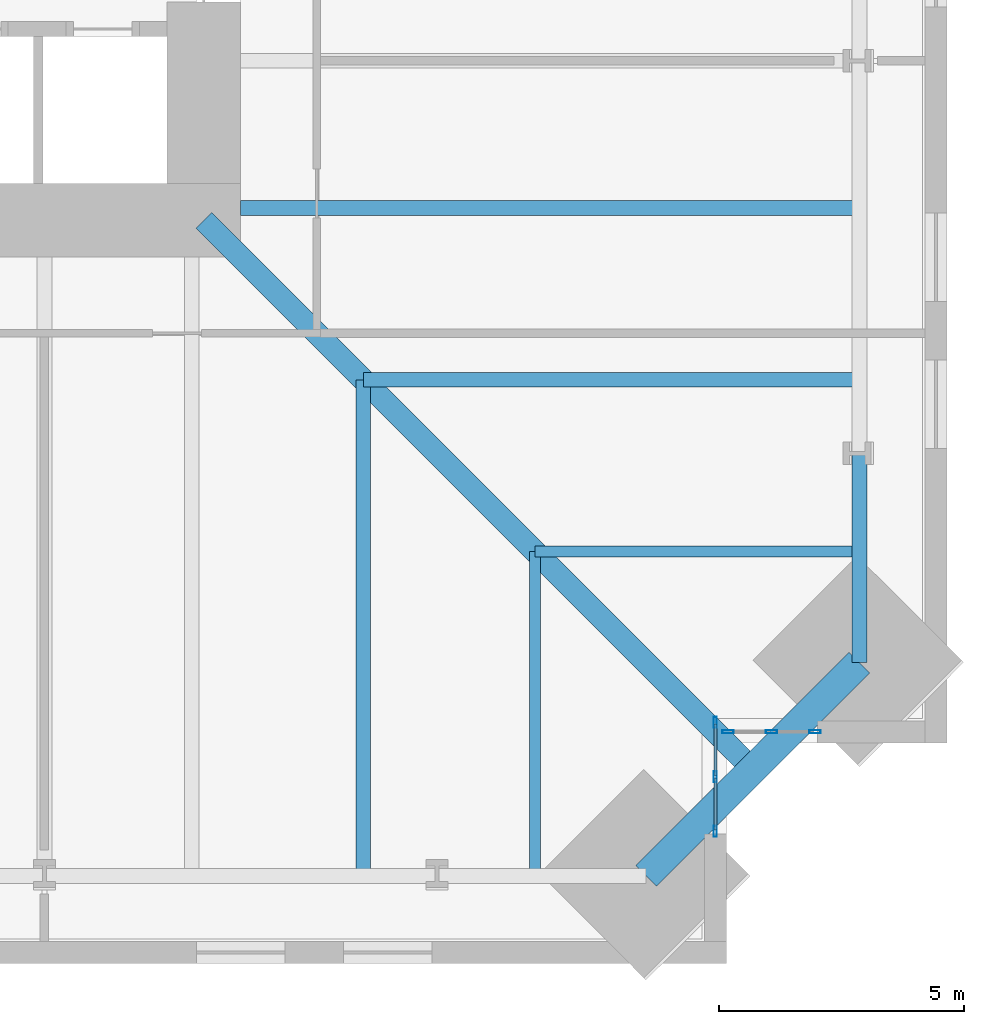
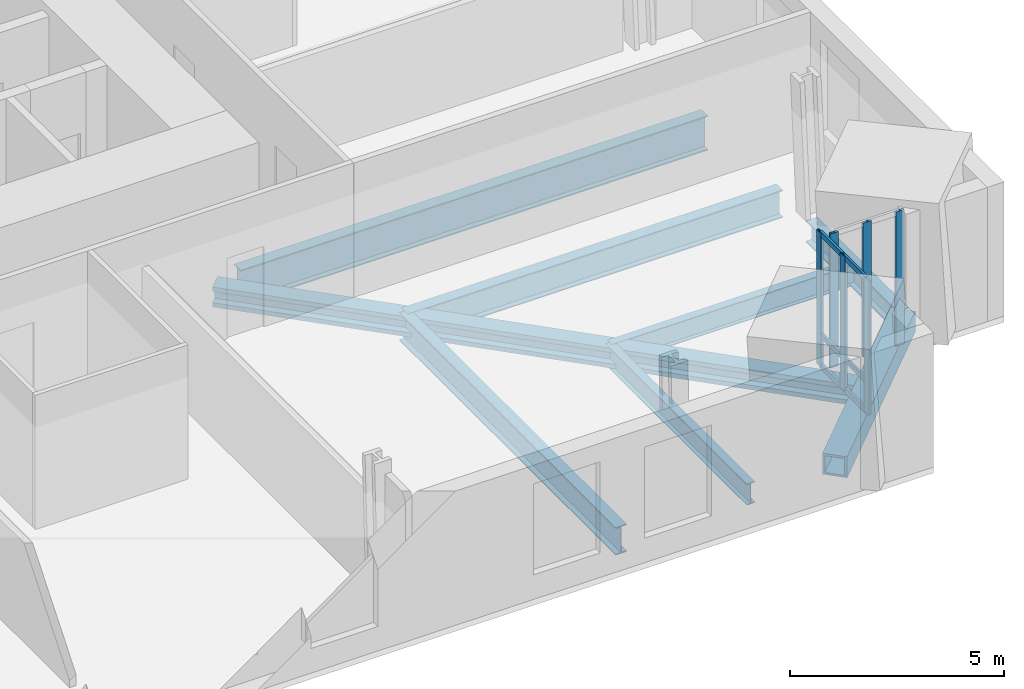
# One storey, part 4 of 18: 12 members, 8 beams, 2 elements without a shape of their own.
"""IFC4 building model written with IfcOpenShell, lengths in metres."""

from ifc_helpers import new_model, si_unit, direction, frame, origin, origin_2d, place, context, subcontext, project, spatial, hollow_rectangle, i_section, extrude, material, material_profile, profile_set, type_object, element, aggregate, save


model = new_model("IFC4")

# Units and contexts
model_context = context("Model", 3, precision=1e-05, world=origin(), true_north=direction((0.0, 1.0)))
body_context = subcontext(model_context, "Body", "Model", "MODEL_VIEW")
ifc_project = project(units=[si_unit("LENGTHUNIT", "METRE"), si_unit("AREAUNIT", "SQUARE_METRE"), si_unit("VOLUMEUNIT", "CUBIC_METRE"), si_unit("PLANEANGLEUNIT", "RADIAN"), si_unit("MASSUNIT", "GRAM", prefix="KILO")], contexts=[model_context])

# Site, building, storey
site_placement = place(None, origin())
site = spatial("IfcSite", under=ifc_project, at=site_placement, CompositionType="ELEMENT")
building_placement = place(site_placement, origin())
building = spatial("IfcBuilding", under=site, at=building_placement, Name="Peilmerk Tower", CompositionType="ELEMENT")
storey_placement = place(building_placement, frame((0.0, 0.0, 155.800048828125)))
storey = spatial("IfcBuildingStorey", under=building, at=storey_placement, Name="L32", CompositionType="ELEMENT", Elevation=155.800048828125)

# Beams
ifc_material_1 = material(Name="Steel S355", Category="steel")
ifc_material_profile_1 = material_profile(ifc_material_1, i_section(OverallWidth=0.219970703125, OverallDepth=0.60009765625, WebThickness=0.011962890625, FlangeThickness=0.01904296875, at=origin_2d()), Name="IPE 600")
ifc_profile_set_1 = profile_set([ifc_material_profile_1], Name="Steel S355")
beam_type_1 = type_object("IfcBeamType", Name="B10 IPE 600 floor beam", PredefinedType="BEAM", material=ifc_profile_set_1)
for number, where, z_axis, x_axis, name in (
    (1, (18.0, -18.0, -0.469970703125), (0.0, -1.0, 0.0), (1.0, 0.0, 0.0), "Floor beam L32"),
    (2, (18.0, -18.0, -0.469970703125), (1.0, 0.0, 0.0), (0.0, 1.0, 0.0), "Floor beam L32"),
):
    element("IfcBeam", number, at=place(storey_placement, frame(where, z_axis=z_axis, x_axis=x_axis)), inside=storey, type_object=beam_type_1, Name=name, PredefinedType="BEAM", context=body_context, shape_type="SweptSolid", body=[
        extrude(i_section(OverallWidth=0.219970703125, OverallDepth=0.60009765625, WebThickness=0.011962890625, FlangeThickness=0.01904296875, at=origin_2d()), origin(), (0.0, 0.0, 1.0), 6.614501953125),
    ])
ifc_material_profile_2 = material_profile(ifc_material_1, i_section(OverallWidth=0.300048828125, OverallDepth=0.989990234375, WebThickness=0.0166015625, FlangeThickness=0.031005859375, at=origin_2d()), Name="HEA 1000")
ifc_profile_set_2 = profile_set([ifc_material_profile_2], Name="Steel S355")
beam_type_2 = type_object("IfcBeamType", Name="B14 HEA 1000 floor girder", PredefinedType="BEAM", material=ifc_profile_set_2)
beam_1_placement = place(storey_placement, frame((12.0, -11.0, -0.6650390625), z_axis=(1.0, 0.0, 0.0), x_axis=(0.0, 1.0, 0.0)))
element("IfcBeam", 3, at=beam_1_placement, inside=storey, type_object=beam_type_2, Name="Floor beam L32", PredefinedType="BEAM", context=body_context, shape_type="SweptSolid", body=[
    extrude(i_section(OverallWidth=0.300048828125, OverallDepth=0.989990234375, WebThickness=0.0166015625, FlangeThickness=0.031005859375, at=origin_2d()), origin(), (0.0, 0.0, 1.0), 12.614501953125),
])
ifc_material_2 = material(Name="Steel S460", Category="steel")
ifc_material_profile_3 = material_profile(ifc_material_2, hollow_rectangle(XDim=0.60009765625, YDim=0.60009765625, WallThickness=0.06005859375, at=origin_2d()), Name="BOX 600x600x60")
ifc_profile_set_3 = profile_set([ifc_material_profile_3], Name="Steel S460")
beam_type_3 = type_object("IfcBeamType", Name="B20 BOX 600x600x60 notch beam", PredefinedType="SPANDREL", material=ifc_profile_set_3)
beam_2_placement = place(storey_placement, frame((24.614501953125, -20.264404296875, -0.469970703125), z_axis=(-0.707106781187, -0.707106781187, 0.0), x_axis=(0.707106781187, -0.707106781187, 0.0)))
element("IfcBeam", 4, at=beam_2_placement, inside=storey, type_object=beam_type_3, Name="Notch beam L32", PredefinedType="SPANDREL", context=body_context, shape_type="SweptSolid", body=[
    extrude(hollow_rectangle(XDim=0.60009765625, YDim=0.60009765625, WallThickness=0.06005859375, at=origin_2d()), origin(), (0.0, 0.0, 1.0), 6.15185546875),
])
ifc_material_profile_4 = material_profile(ifc_material_1, i_section(OverallWidth=0.300048828125, OverallDepth=0.7900390625, WebThickness=0.014892578125, FlangeThickness=0.028076171875, at=origin_2d()), Name="HEA 800")
ifc_profile_set_4 = profile_set([ifc_material_profile_4], Name="Steel S355")
beam_type_4 = type_object("IfcBeamType", Name="B3 HEA 800 floor beam", PredefinedType="BEAM", material=ifc_profile_set_4)
for number, where, z_axis, x_axis, name in (
    (5, (14.5, -14.5, -0.56494140625), (0.0, -1.0, 0.0), (1.0, 0.0, 0.0), "Floor beam L32"),
    (6, (14.5, -14.5, -0.56494140625), (1.0, 0.0, 0.0), (0.0, 1.0, 0.0), "Floor beam L32"),
):
    element("IfcBeam", number, at=place(storey_placement, frame(where, z_axis=z_axis, x_axis=x_axis)), inside=storey, type_object=beam_type_4, Name=name, PredefinedType="BEAM", context=body_context, shape_type="SweptSolid", body=[
        extrude(i_section(OverallWidth=0.300048828125, OverallDepth=0.7900390625, WebThickness=0.014892578125, FlangeThickness=0.028076171875, at=origin_2d()), origin(), (0.0, 0.0, 1.0), 10.114501953125),
    ])
ifc_material_profile_5 = material_profile(ifc_material_1, i_section(OverallWidth=0.304931640625, OverallDepth=0.6201171875, WebThickness=0.02099609375, FlangeThickness=0.0400390625, at=origin_2d()), Name="HEM 600")
ifc_profile_set_5 = profile_set([ifc_material_profile_5], Name="Steel S355")
beam_type_5 = type_object("IfcBeamType", Name="B31 HEM 600 edge beam", PredefinedType="SPANDREL", material=ifc_profile_set_5)
beam_3_placement = place(storey_placement, frame((24.614501953125, -20.264404296875, -0.47998046875), z_axis=(0.0, 1.0, 0.0), x_axis=(-1.0, 0.0, 0.0)))
element("IfcBeam", 7, at=beam_3_placement, inside=storey, type_object=beam_type_5, Name="Edge beam L32", PredefinedType="SPANDREL", context=body_context, shape_type="SweptSolid", body=[
    extrude(i_section(OverallWidth=0.304931640625, OverallDepth=0.6201171875, WebThickness=0.02099609375, FlangeThickness=0.0400390625, at=origin_2d()), origin(), (0.0, 0.0, 1.0), 4.264404296875),
])
ifc_material_profile_6 = material_profile(ifc_material_2, i_section(OverallWidth=0.4541015625, OverallDepth=0.569091796875, WebThickness=0.077880859375, FlangeThickness=0.125, at=origin_2d()), Name="HD 400x1086")
ifc_profile_set_6 = profile_set([ifc_material_profile_6], Name="Steel S460")
beam_type_6 = type_object("IfcBeamType", Name="B9 HD 400x1086 corner girder", PredefinedType="BEAM", material=ifc_profile_set_6)
beam_4_placement = place(storey_placement, frame((11.25, -11.25, -0.45458984375), z_axis=(0.707106781187, -0.707106781187, 0.0), x_axis=(0.707106781187, 0.707106781187, 0.0)))
element("IfcBeam", 8, at=beam_4_placement, inside=storey, type_object=beam_type_6, Name="Corner girder L32", PredefinedType="BEAM", context=body_context, shape_type="SweptSolid", body=[
    extrude(i_section(OverallWidth=0.4541015625, OverallDepth=0.569091796875, WebThickness=0.077880859375, FlangeThickness=0.125, at=origin_2d()), origin(), (0.0, 0.0, 1.0), 15.82421875),
])

# Curtain wall, members
ifc_material_3 = material(Name="Aluminium stick curtain wall", Category="aluminium")
curtain_wall_type = type_object("IfcCurtainWallType", Name="CW3 stick curtain wall, 2250 module", PredefinedType="NOTDEFINED", material=ifc_material_3)
curtain_wall_1_placement = place(storey_placement, origin())
curtain_wall_1 = element("IfcCurtainWall", 9, at=curtain_wall_1_placement, inside=storey, type_object=curtain_wall_type, Name="Curtain wall CW3 SEA L32", PredefinedType="NOTDEFINED")
ifc_material_4 = material(Name="Aluminium EN AW-6063 T6", Category="aluminium")
ifc_material_profile_7 = material_profile(ifc_material_4, hollow_rectangle(XDim=0.06494140625, YDim=0.22509765625, WallThickness=0.00390625, at=origin_2d()), Name="AL 225x65x4")
ifc_profile_set_7 = profile_set([ifc_material_profile_7], Name="Aluminium EN AW-6063 T6")
member_type_1 = type_object("IfcMemberType", Name="CW3-M AL 225x65x4 mullion", PredefinedType="MULLION", material=ifc_profile_set_7)
member_1_placement = place(storey_placement, frame((21.675048828125, -21.482421875, 0.0), z_axis=(0.0, 0.0, 1.0), x_axis=(1.0, 0.0, 0.0)))
member_1 = element("IfcMember", 10, at=member_1_placement, type_object=member_type_1, Name="CW3 mullion 1", PredefinedType="MULLION", context=body_context, shape_type="SweptSolid", body=[
    extrude(hollow_rectangle(XDim=0.06494140625, YDim=0.22509765625, WallThickness=0.00390625, at=origin_2d()), origin(), (0.0, 0.0, 1.0), 3.829833984375),
])
member_2_placement = place(storey_placement, frame((21.675048828125, -22.59423828125, 0.0), z_axis=(0.0, 0.0, 1.0), x_axis=(1.0, 0.0, 0.0)))
member_2 = element("IfcMember", 11, at=member_2_placement, type_object=member_type_1, Name="CW3 mullion 2", PredefinedType="MULLION", context=body_context, shape_type="SweptSolid", body=[
    extrude(hollow_rectangle(XDim=0.06494140625, YDim=0.22509765625, WallThickness=0.00390625, at=origin_2d()), origin(), (0.0, 0.0, 1.0), 3.829833984375),
])
member_3_placement = place(storey_placement, frame((21.675048828125, -23.706298828125, 0.0), z_axis=(0.0, 0.0, 1.0), x_axis=(1.0, 0.0, 0.0)))
member_3 = element("IfcMember", 12, at=member_3_placement, type_object=member_type_1, Name="CW3 mullion 3", PredefinedType="MULLION", context=body_context, shape_type="SweptSolid", body=[
    extrude(hollow_rectangle(XDim=0.06494140625, YDim=0.22509765625, WallThickness=0.00390625, at=origin_2d()), origin(), (0.0, 0.0, 1.0), 3.829833984375),
])

curtain_wall_2_placement = place(storey_placement, origin())
curtain_wall_2 = element("IfcCurtainWall", 13, at=curtain_wall_2_placement, inside=storey, type_object=curtain_wall_type, Name="Curtain wall CW3 SEB L32", PredefinedType="NOTDEFINED")
member_4_placement = place(storey_placement, frame((21.9326171875, -21.675048828125, 0.0), z_axis=(0.0, 0.0, 1.0), x_axis=(0.0, 1.0, 0.0)))
member_4 = element("IfcMember", 14, at=member_4_placement, type_object=member_type_1, Name="CW3 mullion 1", PredefinedType="MULLION", context=body_context, shape_type="SweptSolid", body=[
    extrude(hollow_rectangle(XDim=0.06494140625, YDim=0.22509765625, WallThickness=0.00390625, at=origin_2d()), origin(), (0.0, 0.0, 1.0), 3.829833984375),
])
member_5_placement = place(storey_placement, frame((22.8193359375, -21.675048828125, 0.0), z_axis=(0.0, 0.0, 1.0), x_axis=(0.0, 1.0, 0.0)))
member_5 = element("IfcMember", 15, at=member_5_placement, type_object=member_type_1, Name="CW3 mullion 2", PredefinedType="MULLION", context=body_context, shape_type="SweptSolid", body=[
    extrude(hollow_rectangle(XDim=0.06494140625, YDim=0.22509765625, WallThickness=0.00390625, at=origin_2d()), origin(), (0.0, 0.0, 1.0), 3.829833984375),
])
member_6_placement = place(storey_placement, frame((23.706298828125, -21.675048828125, 0.0), z_axis=(0.0, 0.0, 1.0), x_axis=(0.0, 1.0, 0.0)))
member_6 = element("IfcMember", 16, at=member_6_placement, type_object=member_type_1, Name="CW3 mullion 3", PredefinedType="MULLION", context=body_context, shape_type="SweptSolid", body=[
    extrude(hollow_rectangle(XDim=0.06494140625, YDim=0.22509765625, WallThickness=0.00390625, at=origin_2d()), origin(), (0.0, 0.0, 1.0), 3.829833984375),
])
aggregate(curtain_wall_2, [member_4, member_5, member_6])

# Member
ifc_material_profile_8 = material_profile(ifc_material_4, hollow_rectangle(XDim=0.06494140625, YDim=0.14990234375, WallThickness=0.0029296875, at=origin_2d()), Name="AL 150x65x3")
ifc_profile_set_8 = profile_set([ifc_material_profile_8], Name="Aluminium EN AW-6063 T6")
member_type_2 = type_object("IfcMemberType", Name="CW3-T AL 150x65x3 transom", PredefinedType="USERDEFINED", material=ifc_profile_set_8)
member_7_placement = place(storey_placement, frame((21.675048828125, -21.514892578125, 0.032470703125), z_axis=(0.0, -1.0, 0.0), x_axis=(1.0, 0.0, 0.0)))
member_7 = element("IfcMember", 17, at=member_7_placement, type_object=member_type_2, Name="CW3 transom 1.1", ObjectType="TRANSOM", PredefinedType="USERDEFINED", context=body_context, shape_type="SweptSolid", body=[
    extrude(hollow_rectangle(XDim=0.06494140625, YDim=0.14990234375, WallThickness=0.0029296875, at=origin_2d()), origin(), (0.0, 0.0, 1.0), 1.046875),
])

member_8_placement = place(storey_placement, frame((21.675048828125, -21.514892578125, 0.89990234375), z_axis=(0.0, -1.0, 0.0), x_axis=(1.0, 0.0, 0.0)))
member_8 = element("IfcMember", 18, at=member_8_placement, type_object=member_type_2, Name="CW3 transom 1.2", ObjectType="TRANSOM", PredefinedType="USERDEFINED", context=body_context, shape_type="SweptSolid", body=[
    extrude(hollow_rectangle(XDim=0.06494140625, YDim=0.14990234375, WallThickness=0.0029296875, at=origin_2d()), origin(), (0.0, 0.0, 1.0), 1.046875),
])

member_9_placement = place(storey_placement, frame((21.675048828125, -21.514892578125, 3.79736328125), z_axis=(0.0, -1.0, 0.0), x_axis=(1.0, 0.0, 0.0)))
member_9 = element("IfcMember", 19, at=member_9_placement, type_object=member_type_2, Name="CW3 transom 1.3", ObjectType="TRANSOM", PredefinedType="USERDEFINED", context=body_context, shape_type="SweptSolid", body=[
    extrude(hollow_rectangle(XDim=0.06494140625, YDim=0.14990234375, WallThickness=0.0029296875, at=origin_2d()), origin(), (0.0, 0.0, 1.0), 1.046875),
])

member_10_placement = place(storey_placement, frame((21.675048828125, -22.626953125, 0.032470703125), z_axis=(0.0, -1.0, 0.0), x_axis=(1.0, 0.0, 0.0)))
member_10 = element("IfcMember", 20, at=member_10_placement, type_object=member_type_2, Name="CW3 transom 2.1", ObjectType="TRANSOM", PredefinedType="USERDEFINED", context=body_context, shape_type="SweptSolid", body=[
    extrude(hollow_rectangle(XDim=0.06494140625, YDim=0.14990234375, WallThickness=0.0029296875, at=origin_2d()), origin(), (0.0, 0.0, 1.0), 1.046630859375),
])

member_11_placement = place(storey_placement, frame((21.675048828125, -22.626953125, 0.89990234375), z_axis=(0.0, -1.0, 0.0), x_axis=(1.0, 0.0, 0.0)))
member_11 = element("IfcMember", 21, at=member_11_placement, type_object=member_type_2, Name="CW3 transom 2.2", ObjectType="TRANSOM", PredefinedType="USERDEFINED", context=body_context, shape_type="SweptSolid", body=[
    extrude(hollow_rectangle(XDim=0.06494140625, YDim=0.14990234375, WallThickness=0.0029296875, at=origin_2d()), origin(), (0.0, 0.0, 1.0), 1.046630859375),
])

member_12_placement = place(storey_placement, frame((21.675048828125, -22.626953125, 3.79736328125), z_axis=(0.0, -1.0, 0.0), x_axis=(1.0, 0.0, 0.0)))
member_12 = element("IfcMember", 22, at=member_12_placement, type_object=member_type_2, Name="CW3 transom 2.3", ObjectType="TRANSOM", PredefinedType="USERDEFINED", context=body_context, shape_type="SweptSolid", body=[
    extrude(hollow_rectangle(XDim=0.06494140625, YDim=0.14990234375, WallThickness=0.0029296875, at=origin_2d()), origin(), (0.0, 0.0, 1.0), 1.046630859375),
])

aggregate(curtain_wall_1, [member_1, member_2, member_3, member_7, member_8, member_9, member_10, member_11, member_12])

save(model, "model.ifc")
